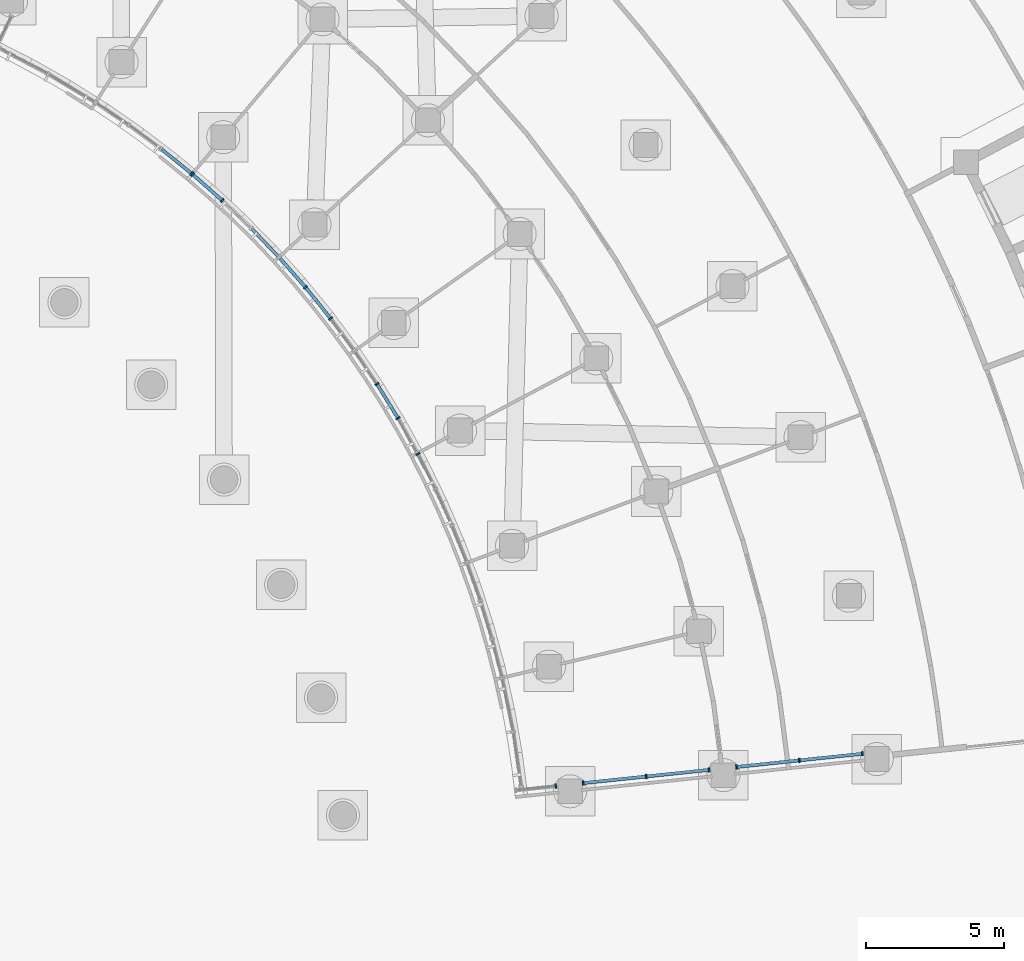
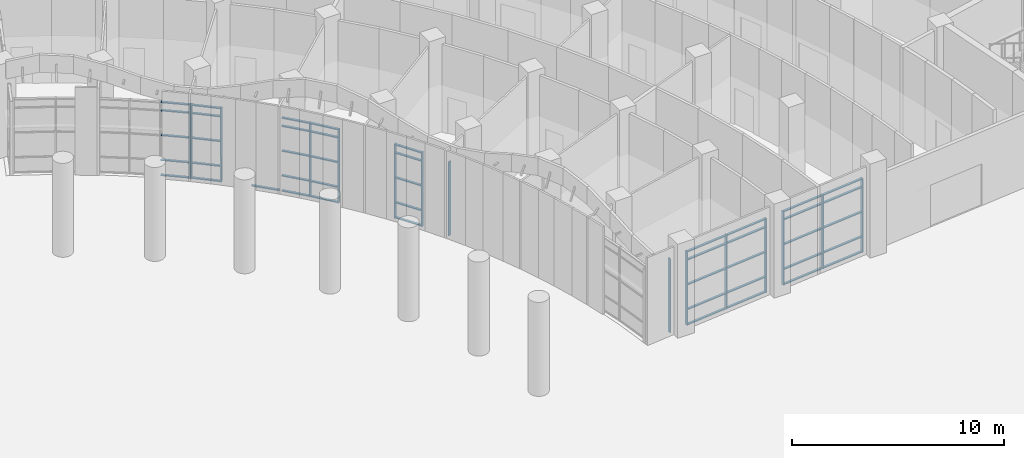
# One storey, part 31 of 146: 61 members, 8 elements without a shape of their own.
"""IFC4 building model written with IfcOpenShell, lengths in metres."""

from ifc_helpers import new_model, si_unit, direction, frame, origin, origin_2d, place, context, subcontext, project, spatial, rectangle, extrude, material, material_profile, profile_set, type_object, element, aggregate, save


model = new_model("IFC4")

# Units and contexts
model_context = context("Model", 3, precision=1e-05, world=origin(), true_north=direction((0.0, 1.0)))
body_context = subcontext(model_context, "Body", "Model", "MODEL_VIEW")
ifc_project = project(units=[si_unit("LENGTHUNIT", "METRE"), si_unit("AREAUNIT", "SQUARE_METRE"), si_unit("VOLUMEUNIT", "CUBIC_METRE"), si_unit("PLANEANGLEUNIT", "RADIAN"), si_unit("MASSUNIT", "GRAM", prefix="KILO")], contexts=[model_context])

# Site, building, storey
site_placement = place(None, origin())
site = spatial("IfcSite", under=ifc_project, at=site_placement, CompositionType="ELEMENT")
building_placement = place(site_placement, origin())
building = spatial("IfcBuilding", under=site, at=building_placement, Name="Bougainvillea Quay General Hospital", CompositionType="ELEMENT")
storey_placement = place(building_placement, origin())
storey = spatial("IfcBuildingStorey", under=building, at=storey_placement, Name="L00", CompositionType="ELEMENT", Elevation=0.0)

# Curtain wall, member
ifc_material_1 = material(Name="Aluminium curtain wall system, powder-coated glazed", Category="aluminium")
curtain_wall_type_1 = type_object("IfcCurtainWallType", Name="Unitised curtain wall CW-2100", PredefinedType="NOTDEFINED", material=ifc_material_1)
curtain_wall_1_placement = place(storey_placement, origin())
curtain_wall_1 = element("IfcCurtainWall", 1, at=curtain_wall_1_placement, inside=storey, type_object=curtain_wall_type_1, Name="CW-E02 a21b1", PredefinedType="NOTDEFINED")
ifc_material_2 = material(Name="Aluminium mullion, powder-coated charcoal", Category="aluminium")
ifc_material_profile_1 = material_profile(ifc_material_2, rectangle(XDim=0.159912109375, YDim=0.06005859375, at=origin_2d()))
ifc_profile_set_1 = profile_set([ifc_material_profile_1], Name="Aluminium mullion, powder-coated charcoal")
member_type_1 = type_object("IfcMemberType", Name="Curtain wall mullion 160x60", PredefinedType="MULLION", material=ifc_profile_set_1)
member_1_placement = place(storey_placement, frame((131.248779296875, 48.2080078125, 0.0), z_axis=(0.0, 0.0, 1.0), x_axis=(0.628035497086, 0.778184691702, 0.0)))
member_1 = element("IfcMember", 2, at=member_1_placement, type_object=member_type_1, Name="CW-E02 mullion 4", PredefinedType="MULLION", context=body_context, shape_type="SweptSolid", body=[
    extrude(rectangle(XDim=0.159912109375, YDim=0.06005859375, at=origin_2d()), origin(), (0.0, 0.0, 1.0), 4.25),
])

# Curtain wall, members
curtain_wall_2_placement = place(storey_placement, origin())
curtain_wall_2 = element("IfcCurtainWall", 3, at=curtain_wall_2_placement, inside=storey, type_object=curtain_wall_type_1, Name="CW-E03 a21b2", PredefinedType="NOTDEFINED")
member_2_placement = place(storey_placement, frame((131.294677734375, 48.16943359375, 0.0), z_axis=(0.0, 0.0, 1.0), x_axis=(0.660560931643, 0.750772439283, 0.0)))
member_2 = element("IfcMember", 4, at=member_2_placement, type_object=member_type_1, Name="CW-E03 mullion 1", PredefinedType="MULLION", context=body_context, shape_type="SweptSolid", body=[
    extrude(rectangle(XDim=0.159912109375, YDim=0.06005859375, at=origin_2d()), origin(), (0.0, 0.0, 1.0), 4.25),
])
member_3_placement = place(storey_placement, frame((132.365966796875, 47.226806640625, 0.0), z_axis=(0.0, 0.0, 1.0), x_axis=(0.676379052625, 0.736553716419, 0.0)))
member_3 = element("IfcMember", 5, at=member_3_placement, type_object=member_type_1, Name="CW-E03 mullion 2", PredefinedType="MULLION", context=body_context, shape_type="SweptSolid", body=[
    extrude(rectangle(XDim=0.159912109375, YDim=0.06005859375, at=origin_2d()), origin(), (0.0, 0.0, 1.0), 4.25),
])

curtain_wall_3_placement = place(storey_placement, origin())
curtain_wall_3 = element("IfcCurtainWall", 6, at=curtain_wall_3_placement, inside=storey, type_object=curtain_wall_type_1, Name="CW-E04 a21b3", PredefinedType="NOTDEFINED")
member_4_placement = place(storey_placement, frame((135.38818359375, 44.073486328125, 0.0), z_axis=(0.0, 0.0, 1.0), x_axis=(0.764621529328, 0.644479570575, 0.0)))
member_4 = element("IfcMember", 7, at=member_4_placement, type_object=member_type_1, Name="CW-E04 mullion 2", PredefinedType="MULLION", context=body_context, shape_type="SweptSolid", body=[
    extrude(rectangle(XDim=0.159912109375, YDim=0.06005859375, at=origin_2d()), origin(), (0.0, 0.0, 1.0), 4.25),
])
member_5_placement = place(storey_placement, frame((136.30322265625, 42.939697265625, 0.0), z_axis=(0.0, 0.0, 1.0), x_axis=(0.791337366302, 0.611379728723, 0.0)))
member_5 = element("IfcMember", 8, at=member_5_placement, type_object=member_type_1, Name="CW-E04 mullion 3", PredefinedType="MULLION", context=body_context, shape_type="SweptSolid", body=[
    extrude(rectangle(XDim=0.159912109375, YDim=0.06005859375, at=origin_2d()), origin(), (0.0, 0.0, 1.0), 4.25),
])

curtain_wall_4_placement = place(storey_placement, origin())
curtain_wall_4 = element("IfcCurtainWall", 9, at=curtain_wall_4_placement, inside=storey, type_object=curtain_wall_type_1, Name="CW-E05 a21b4", PredefinedType="NOTDEFINED")
member_6_placement = place(storey_placement, frame((137.984619140625, 40.560791015625, 0.0), z_axis=(0.0, 0.0, 1.0), x_axis=(0.840427908607, 0.541923362141, 0.0)))
member_6 = element("IfcMember", 10, at=member_6_placement, type_object=member_type_1, Name="CW-E05 mullion 2", PredefinedType="MULLION", context=body_context, shape_type="SweptSolid", body=[
    extrude(rectangle(XDim=0.159912109375, YDim=0.06005859375, at=origin_2d()), origin(), (0.0, 0.0, 1.0), 4.25),
])
member_7_placement = place(storey_placement, frame((138.747802734375, 39.31982421875, 0.0), z_axis=(0.0, 0.0, 1.0), x_axis=(0.862713792698, 0.50569250725, 0.0)))
member_7 = element("IfcMember", 11, at=member_7_placement, type_object=member_type_1, Name="CW-E05 mullion 3", PredefinedType="MULLION", context=body_context, shape_type="SweptSolid", body=[
    extrude(rectangle(XDim=0.159912109375, YDim=0.06005859375, at=origin_2d()), origin(), (0.0, 0.0, 1.0), 4.25),
])

# Curtain wall, member
curtain_wall_5_placement = place(storey_placement, origin())
curtain_wall_5 = element("IfcCurtainWall", 12, at=curtain_wall_5_placement, inside=storey, type_object=curtain_wall_type_1, Name="CW-E06 a21b5", PredefinedType="NOTDEFINED")
member_8_placement = place(storey_placement, frame((139.47119140625, 38.02099609375, 0.0), z_axis=(0.0, 0.0, 1.0), x_axis=(0.893204028362, 0.449651602597, 0.0)))
member_8 = element("IfcMember", 13, at=member_8_placement, type_object=member_type_1, Name="CW-E06 mullion 1", PredefinedType="MULLION", context=body_context, shape_type="SweptSolid", body=[
    extrude(rectangle(XDim=0.159912109375, YDim=0.06005859375, at=origin_2d()), origin(), (0.0, 0.0, 1.0), 4.25),
])
aggregate(curtain_wall_5, [member_8])

curtain_wall_type_2 = type_object("IfcCurtainWallType", Name="Unitised curtain wall CW-1531", PredefinedType="NOTDEFINED", material=ifc_material_1)
curtain_wall_6_placement = place(storey_placement, origin())
curtain_wall_6 = element("IfcCurtainWall", 14, at=curtain_wall_6_placement, inside=storey, type_object=curtain_wall_type_2, Name="CW-AE 00", PredefinedType="NOTDEFINED")
member_9_placement = place(storey_placement, frame((144.47998046875, 25.95947265625, 0.0), z_axis=(0.0, 0.0, 1.0), x_axis=(-0.104527173765, 0.9945220309, 0.0)))
member_9 = element("IfcMember", 15, at=member_9_placement, type_object=member_type_1, Name="CW-AE mullion 2", PredefinedType="MULLION", context=body_context, shape_type="SweptSolid", body=[
    extrude(rectangle(XDim=0.159912109375, YDim=0.06005859375, at=origin_2d()), origin(), (0.0, 0.0, 1.0), 4.25),
])
aggregate(curtain_wall_6, [member_9])

# Curtain wall, members
curtain_wall_type_3 = type_object("IfcCurtainWallType", Name="Unitised curtain wall CW-2330", PredefinedType="NOTDEFINED", material=ifc_material_1)
curtain_wall_7_placement = place(storey_placement, origin())
curtain_wall_7 = element("IfcCurtainWall", 16, at=curtain_wall_7_placement, inside=storey, type_object=curtain_wall_type_3, Name="CW-AE 01", PredefinedType="NOTDEFINED")
member_10_placement = place(storey_placement, frame((145.474365234375, 26.06396484375, 0.0), z_axis=(0.0, 0.0, 1.0), x_axis=(-0.104527173765, 0.9945220309, 0.0)))
member_10 = element("IfcMember", 17, at=member_10_placement, type_object=member_type_1, Name="CW-AE mullion 1", PredefinedType="MULLION", context=body_context, shape_type="SweptSolid", body=[
    extrude(rectangle(XDim=0.159912109375, YDim=0.06005859375, at=origin_2d()), origin(), (0.0, 0.0, 1.0), 4.25),
])
member_11_placement = place(storey_placement, frame((147.76171875, 26.304443359375, 0.0), z_axis=(0.0, 0.0, 1.0), x_axis=(-0.104527173765, 0.9945220309, 0.0)))
member_11 = element("IfcMember", 18, at=member_11_placement, type_object=member_type_1, Name="CW-AE mullion 2", PredefinedType="MULLION", context=body_context, shape_type="SweptSolid", body=[
    extrude(rectangle(XDim=0.159912109375, YDim=0.06005859375, at=origin_2d()), origin(), (0.0, 0.0, 1.0), 4.25),
])
member_12_placement = place(storey_placement, frame((150.048828125, 26.544677734375, 0.0), z_axis=(0.0, 0.0, 1.0), x_axis=(-0.104527173765, 0.9945220309, 0.0)))
member_12 = element("IfcMember", 19, at=member_12_placement, type_object=member_type_1, Name="CW-AE mullion 3", PredefinedType="MULLION", context=body_context, shape_type="SweptSolid", body=[
    extrude(rectangle(XDim=0.159912109375, YDim=0.06005859375, at=origin_2d()), origin(), (0.0, 0.0, 1.0), 4.25),
])

curtain_wall_8_placement = place(storey_placement, origin())
curtain_wall_8 = element("IfcCurtainWall", 20, at=curtain_wall_8_placement, inside=storey, type_object=curtain_wall_type_3, Name="CW-AE 02", PredefinedType="NOTDEFINED")
member_13_placement = place(storey_placement, frame((151.04345703125, 26.649169921875, 0.0), z_axis=(0.0, 0.0, 1.0), x_axis=(-0.104527173765, 0.9945220309, 0.0)))
member_13 = element("IfcMember", 21, at=member_13_placement, type_object=member_type_1, Name="CW-AE mullion 1", PredefinedType="MULLION", context=body_context, shape_type="SweptSolid", body=[
    extrude(rectangle(XDim=0.159912109375, YDim=0.06005859375, at=origin_2d()), origin(), (0.0, 0.0, 1.0), 4.25),
])
member_14_placement = place(storey_placement, frame((153.33056640625, 26.8896484375, 0.0), z_axis=(0.0, 0.0, 1.0), x_axis=(-0.104527173765, 0.9945220309, 0.0)))
member_14 = element("IfcMember", 22, at=member_14_placement, type_object=member_type_1, Name="CW-AE mullion 2", PredefinedType="MULLION", context=body_context, shape_type="SweptSolid", body=[
    extrude(rectangle(XDim=0.159912109375, YDim=0.06005859375, at=origin_2d()), origin(), (0.0, 0.0, 1.0), 4.25),
])
member_15_placement = place(storey_placement, frame((155.617919921875, 27.130126953125, 0.0), z_axis=(0.0, 0.0, 1.0), x_axis=(-0.104527173765, 0.9945220309, 0.0)))
member_15 = element("IfcMember", 23, at=member_15_placement, type_object=member_type_1, Name="CW-AE mullion 3", PredefinedType="MULLION", context=body_context, shape_type="SweptSolid", body=[
    extrude(rectangle(XDim=0.159912109375, YDim=0.06005859375, at=origin_2d()), origin(), (0.0, 0.0, 1.0), 4.25),
])

# Member
ifc_material_3 = material(Name="Aluminium transom, powder-coated charcoal", Category="aluminium")
ifc_material_profile_2 = material_profile(ifc_material_3, rectangle(XDim=0.1201171875, YDim=0.06005859375, at=origin_2d()))
ifc_profile_set_2 = profile_set([ifc_material_profile_2], Name="Aluminium transom, powder-coated charcoal")
member_type_2 = type_object("IfcMemberType", Name="Curtain wall transom 120x60", PredefinedType="USERDEFINED", material=ifc_profile_set_2)
member_16_placement = place(storey_placement, frame((130.161865234375, 49.08544921875, 0.030029296875), z_axis=(0.778213103067, -0.628000291573, 0.0), x_axis=(0.628000291573, 0.778213103067, 0.0)))
member_16 = element("IfcMember", 24, at=member_16_placement, type_object=member_type_2, Name="CW-E02 transom 3.1", ObjectType="TRANSOM", PredefinedType="USERDEFINED", context=body_context, shape_type="SweptSolid", body=[
    extrude(rectangle(XDim=0.1201171875, YDim=0.06005859375, at=origin_2d()), origin(), (0.0, 0.0, 1.0), 1.366943359375),
])

member_17_placement = place(storey_placement, frame((130.161865234375, 49.08544921875, 0.89990234375), z_axis=(0.778213103067, -0.628000291573, 0.0), x_axis=(0.628000291573, 0.778213103067, 0.0)))
member_17 = element("IfcMember", 25, at=member_17_placement, type_object=member_type_2, Name="CW-E02 transom 3.2", ObjectType="TRANSOM", PredefinedType="USERDEFINED", context=body_context, shape_type="SweptSolid", body=[
    extrude(rectangle(XDim=0.1201171875, YDim=0.06005859375, at=origin_2d()), origin(), (0.0, 0.0, 1.0), 1.366943359375),
])

member_18_placement = place(storey_placement, frame((130.161865234375, 49.08544921875, 2.324951171875), z_axis=(0.778213103067, -0.628000291573, 0.0), x_axis=(0.628000291573, 0.778213103067, 0.0)))
member_18 = element("IfcMember", 26, at=member_18_placement, type_object=member_type_2, Name="CW-E02 transom 3.3", ObjectType="TRANSOM", PredefinedType="USERDEFINED", context=body_context, shape_type="SweptSolid", body=[
    extrude(rectangle(XDim=0.1201171875, YDim=0.06005859375, at=origin_2d()), origin(), (0.0, 0.0, 1.0), 1.366943359375),
])

member_19_placement = place(storey_placement, frame((130.161865234375, 49.08544921875, 3.75), z_axis=(0.778213103067, -0.628000291573, 0.0), x_axis=(0.628000291573, 0.778213103067, 0.0)))
member_19 = element("IfcMember", 27, at=member_19_placement, type_object=member_type_2, Name="CW-E02 transom 3.4", ObjectType="TRANSOM", PredefinedType="USERDEFINED", context=body_context, shape_type="SweptSolid", body=[
    extrude(rectangle(XDim=0.1201171875, YDim=0.06005859375, at=origin_2d()), origin(), (0.0, 0.0, 1.0), 1.366943359375),
])

member_20_placement = place(storey_placement, frame((130.161865234375, 49.08544921875, 4.219970703125), z_axis=(0.778213103067, -0.628000291573, 0.0), x_axis=(0.628000291573, 0.778213103067, 0.0)))
member_20 = element("IfcMember", 28, at=member_20_placement, type_object=member_type_2, Name="CW-E02 transom 3.5", ObjectType="TRANSOM", PredefinedType="USERDEFINED", context=body_context, shape_type="SweptSolid", body=[
    extrude(rectangle(XDim=0.1201171875, YDim=0.06005859375, at=origin_2d()), origin(), (0.0, 0.0, 1.0), 1.366943359375),
])

aggregate(curtain_wall_1, [member_1, member_16, member_17, member_18, member_19, member_20])

member_21_placement = place(storey_placement, frame((131.317138671875, 48.149658203125, 0.030029296875), z_axis=(0.750848138241, -0.660474884685, 0.0), x_axis=(0.660474884685, 0.750848138241, 0.0)))
member_21 = element("IfcMember", 29, at=member_21_placement, type_object=member_type_2, Name="CW-E03 transom 1.1", ObjectType="TRANSOM", PredefinedType="USERDEFINED", context=body_context, shape_type="SweptSolid", body=[
    extrude(rectangle(XDim=0.1201171875, YDim=0.06005859375, at=origin_2d()), origin(), (0.0, 0.0, 1.0), 1.366943359375),
])

member_22_placement = place(storey_placement, frame((131.317138671875, 48.149658203125, 0.89990234375), z_axis=(0.750848138241, -0.660474884685, 0.0), x_axis=(0.660474884685, 0.750848138241, 0.0)))
member_22 = element("IfcMember", 30, at=member_22_placement, type_object=member_type_2, Name="CW-E03 transom 1.2", ObjectType="TRANSOM", PredefinedType="USERDEFINED", context=body_context, shape_type="SweptSolid", body=[
    extrude(rectangle(XDim=0.1201171875, YDim=0.06005859375, at=origin_2d()), origin(), (0.0, 0.0, 1.0), 1.366943359375),
])

member_23_placement = place(storey_placement, frame((131.317138671875, 48.149658203125, 2.324951171875), z_axis=(0.750848138241, -0.660474884685, 0.0), x_axis=(0.660474884685, 0.750848138241, 0.0)))
member_23 = element("IfcMember", 31, at=member_23_placement, type_object=member_type_2, Name="CW-E03 transom 1.3", ObjectType="TRANSOM", PredefinedType="USERDEFINED", context=body_context, shape_type="SweptSolid", body=[
    extrude(rectangle(XDim=0.1201171875, YDim=0.06005859375, at=origin_2d()), origin(), (0.0, 0.0, 1.0), 1.366943359375),
])

member_24_placement = place(storey_placement, frame((131.317138671875, 48.149658203125, 3.75), z_axis=(0.750848138241, -0.660474884685, 0.0), x_axis=(0.660474884685, 0.750848138241, 0.0)))
member_24 = element("IfcMember", 32, at=member_24_placement, type_object=member_type_2, Name="CW-E03 transom 1.4", ObjectType="TRANSOM", PredefinedType="USERDEFINED", context=body_context, shape_type="SweptSolid", body=[
    extrude(rectangle(XDim=0.1201171875, YDim=0.06005859375, at=origin_2d()), origin(), (0.0, 0.0, 1.0), 1.366943359375),
])

member_25_placement = place(storey_placement, frame((131.317138671875, 48.149658203125, 4.219970703125), z_axis=(0.750848138241, -0.660474884685, 0.0), x_axis=(0.660474884685, 0.750848138241, 0.0)))
member_25 = element("IfcMember", 33, at=member_25_placement, type_object=member_type_2, Name="CW-E03 transom 1.5", ObjectType="TRANSOM", PredefinedType="USERDEFINED", context=body_context, shape_type="SweptSolid", body=[
    extrude(rectangle(XDim=0.1201171875, YDim=0.06005859375, at=origin_2d()), origin(), (0.0, 0.0, 1.0), 1.366943359375),
])

member_26_placement = place(storey_placement, frame((133.4384765625, 46.197265625, 0.030029296875), z_axis=(0.691944155864, -0.721951026847, 0.0), x_axis=(0.721951026847, 0.691944155864, 0.0)))
member_26 = element("IfcMember", 34, at=member_26_placement, type_object=member_type_2, Name="CW-E03 transom 3.1", ObjectType="TRANSOM", PredefinedType="USERDEFINED", context=body_context, shape_type="SweptSolid", body=[
    extrude(rectangle(XDim=0.1201171875, YDim=0.06005859375, at=origin_2d()), origin(), (0.0, 0.0, 1.0), 1.366943359375),
])

aggregate(curtain_wall_2, [member_2, member_3, member_21, member_22, member_23, member_24, member_25, member_26])

member_27_placement = place(storey_placement, frame((134.465576171875, 45.1220703125, 0.030029296875), z_axis=(0.660563464246, -0.750770210986, 0.0), x_axis=(0.750770210986, 0.660563464246, 0.0)))
member_27 = element("IfcMember", 35, at=member_27_placement, type_object=member_type_2, Name="CW-E04 transom 1.1", ObjectType="TRANSOM", PredefinedType="USERDEFINED", context=body_context, shape_type="SweptSolid", body=[
    extrude(rectangle(XDim=0.1201171875, YDim=0.06005859375, at=origin_2d()), origin(), (0.0, 0.0, 1.0), 1.36669921875),
])

member_28_placement = place(storey_placement, frame((134.465576171875, 45.1220703125, 0.89990234375), z_axis=(0.660563464246, -0.750770210986, 0.0), x_axis=(0.750770210986, 0.660563464246, 0.0)))
member_28 = element("IfcMember", 36, at=member_28_placement, type_object=member_type_2, Name="CW-E04 transom 1.2", ObjectType="TRANSOM", PredefinedType="USERDEFINED", context=body_context, shape_type="SweptSolid", body=[
    extrude(rectangle(XDim=0.1201171875, YDim=0.06005859375, at=origin_2d()), origin(), (0.0, 0.0, 1.0), 1.36669921875),
])

member_29_placement = place(storey_placement, frame((134.465576171875, 45.1220703125, 2.324951171875), z_axis=(0.660563464246, -0.750770210986, 0.0), x_axis=(0.750770210986, 0.660563464246, 0.0)))
member_29 = element("IfcMember", 37, at=member_29_placement, type_object=member_type_2, Name="CW-E04 transom 1.3", ObjectType="TRANSOM", PredefinedType="USERDEFINED", context=body_context, shape_type="SweptSolid", body=[
    extrude(rectangle(XDim=0.1201171875, YDim=0.06005859375, at=origin_2d()), origin(), (0.0, 0.0, 1.0), 1.36669921875),
])

member_30_placement = place(storey_placement, frame((134.465576171875, 45.1220703125, 3.75), z_axis=(0.660563464246, -0.750770210986, 0.0), x_axis=(0.750770210986, 0.660563464246, 0.0)))
member_30 = element("IfcMember", 38, at=member_30_placement, type_object=member_type_2, Name="CW-E04 transom 1.4", ObjectType="TRANSOM", PredefinedType="USERDEFINED", context=body_context, shape_type="SweptSolid", body=[
    extrude(rectangle(XDim=0.1201171875, YDim=0.06005859375, at=origin_2d()), origin(), (0.0, 0.0, 1.0), 1.36669921875),
])

member_31_placement = place(storey_placement, frame((134.465576171875, 45.1220703125, 4.219970703125), z_axis=(0.660563464246, -0.750770210986, 0.0), x_axis=(0.750770210986, 0.660563464246, 0.0)))
member_31 = element("IfcMember", 39, at=member_31_placement, type_object=member_type_2, Name="CW-E04 transom 1.5", ObjectType="TRANSOM", PredefinedType="USERDEFINED", context=body_context, shape_type="SweptSolid", body=[
    extrude(rectangle(XDim=0.1201171875, YDim=0.06005859375, at=origin_2d()), origin(), (0.0, 0.0, 1.0), 1.36669921875),
])

member_32_placement = place(storey_placement, frame((135.406982421875, 44.050048828125, 0.030029296875), z_axis=(0.628141814812, -0.778098875777, 0.0), x_axis=(0.778098875777, 0.628141814812, 0.0)))
member_32 = element("IfcMember", 40, at=member_32_placement, type_object=member_type_2, Name="CW-E04 transom 2.1", ObjectType="TRANSOM", PredefinedType="USERDEFINED", context=body_context, shape_type="SweptSolid", body=[
    extrude(rectangle(XDim=0.1201171875, YDim=0.06005859375, at=origin_2d()), origin(), (0.0, 0.0, 1.0), 1.39697265625),
])

member_33_placement = place(storey_placement, frame((135.406982421875, 44.050048828125, 0.89990234375), z_axis=(0.628141814812, -0.778098875777, 0.0), x_axis=(0.778098875777, 0.628141814812, 0.0)))
member_33 = element("IfcMember", 41, at=member_33_placement, type_object=member_type_2, Name="CW-E04 transom 2.2", ObjectType="TRANSOM", PredefinedType="USERDEFINED", context=body_context, shape_type="SweptSolid", body=[
    extrude(rectangle(XDim=0.1201171875, YDim=0.06005859375, at=origin_2d()), origin(), (0.0, 0.0, 1.0), 1.39697265625),
])

member_34_placement = place(storey_placement, frame((135.406982421875, 44.050048828125, 2.324951171875), z_axis=(0.628141814812, -0.778098875777, 0.0), x_axis=(0.778098875777, 0.628141814812, 0.0)))
member_34 = element("IfcMember", 42, at=member_34_placement, type_object=member_type_2, Name="CW-E04 transom 2.3", ObjectType="TRANSOM", PredefinedType="USERDEFINED", context=body_context, shape_type="SweptSolid", body=[
    extrude(rectangle(XDim=0.1201171875, YDim=0.06005859375, at=origin_2d()), origin(), (0.0, 0.0, 1.0), 1.39697265625),
])

member_35_placement = place(storey_placement, frame((135.406982421875, 44.050048828125, 3.75), z_axis=(0.628141814812, -0.778098875777, 0.0), x_axis=(0.778098875777, 0.628141814812, 0.0)))
member_35 = element("IfcMember", 43, at=member_35_placement, type_object=member_type_2, Name="CW-E04 transom 2.4", ObjectType="TRANSOM", PredefinedType="USERDEFINED", context=body_context, shape_type="SweptSolid", body=[
    extrude(rectangle(XDim=0.1201171875, YDim=0.06005859375, at=origin_2d()), origin(), (0.0, 0.0, 1.0), 1.39697265625),
])

member_36_placement = place(storey_placement, frame((135.406982421875, 44.050048828125, 4.219970703125), z_axis=(0.628141814812, -0.778098875777, 0.0), x_axis=(0.778098875777, 0.628141814812, 0.0)))
member_36 = element("IfcMember", 44, at=member_36_placement, type_object=member_type_2, Name="CW-E04 transom 2.5", ObjectType="TRANSOM", PredefinedType="USERDEFINED", context=body_context, shape_type="SweptSolid", body=[
    extrude(rectangle(XDim=0.1201171875, YDim=0.06005859375, at=origin_2d()), origin(), (0.0, 0.0, 1.0), 1.39697265625),
])

aggregate(curtain_wall_3, [member_4, member_5, member_27, member_28, member_29, member_30, member_31, member_32, member_33, member_34, member_35, member_36])

member_37_placement = place(storey_placement, frame((138.000244140625, 40.535400390625, 0.030029296875), z_axis=(0.523921907365, -0.851766303034, 0.0), x_axis=(0.851766303034, 0.523921907365, 0.0)))
member_37 = element("IfcMember", 45, at=member_37_placement, type_object=member_type_2, Name="CW-E05 transom 2.1", ObjectType="TRANSOM", PredefinedType="USERDEFINED", context=body_context, shape_type="SweptSolid", body=[
    extrude(rectangle(XDim=0.1201171875, YDim=0.06005859375, at=origin_2d()), origin(), (0.0, 0.0, 1.0), 1.39697265625),
])

member_38_placement = place(storey_placement, frame((138.000244140625, 40.535400390625, 0.89990234375), z_axis=(0.523921907365, -0.851766303034, 0.0), x_axis=(0.851766303034, 0.523921907365, 0.0)))
member_38 = element("IfcMember", 46, at=member_38_placement, type_object=member_type_2, Name="CW-E05 transom 2.2", ObjectType="TRANSOM", PredefinedType="USERDEFINED", context=body_context, shape_type="SweptSolid", body=[
    extrude(rectangle(XDim=0.1201171875, YDim=0.06005859375, at=origin_2d()), origin(), (0.0, 0.0, 1.0), 1.39697265625),
])

member_39_placement = place(storey_placement, frame((138.000244140625, 40.535400390625, 2.324951171875), z_axis=(0.523921907365, -0.851766303034, 0.0), x_axis=(0.851766303034, 0.523921907365, 0.0)))
member_39 = element("IfcMember", 47, at=member_39_placement, type_object=member_type_2, Name="CW-E05 transom 2.3", ObjectType="TRANSOM", PredefinedType="USERDEFINED", context=body_context, shape_type="SweptSolid", body=[
    extrude(rectangle(XDim=0.1201171875, YDim=0.06005859375, at=origin_2d()), origin(), (0.0, 0.0, 1.0), 1.39697265625),
])

member_40_placement = place(storey_placement, frame((138.000244140625, 40.535400390625, 3.75), z_axis=(0.523921907365, -0.851766303034, 0.0), x_axis=(0.851766303034, 0.523921907365, 0.0)))
member_40 = element("IfcMember", 48, at=member_40_placement, type_object=member_type_2, Name="CW-E05 transom 2.4", ObjectType="TRANSOM", PredefinedType="USERDEFINED", context=body_context, shape_type="SweptSolid", body=[
    extrude(rectangle(XDim=0.1201171875, YDim=0.06005859375, at=origin_2d()), origin(), (0.0, 0.0, 1.0), 1.39697265625),
])

member_41_placement = place(storey_placement, frame((138.000244140625, 40.535400390625, 4.219970703125), z_axis=(0.523921907365, -0.851766303034, 0.0), x_axis=(0.851766303034, 0.523921907365, 0.0)))
member_41 = element("IfcMember", 49, at=member_41_placement, type_object=member_type_2, Name="CW-E05 transom 2.5", ObjectType="TRANSOM", PredefinedType="USERDEFINED", context=body_context, shape_type="SweptSolid", body=[
    extrude(rectangle(XDim=0.1201171875, YDim=0.06005859375, at=origin_2d()), origin(), (0.0, 0.0, 1.0), 1.39697265625),
])

aggregate(curtain_wall_4, [member_6, member_7, member_37, member_38, member_39, member_40, member_41])

member_42_placement = place(storey_placement, frame((145.504150390625, 26.067138671875, 0.030029296875), z_axis=(0.994522758079, 0.104520254794, 0.0), x_axis=(-0.104520254794, 0.994522758079, 0.0)))
member_42 = element("IfcMember", 50, at=member_42_placement, type_object=member_type_2, Name="CW-AE transom 1.1", ObjectType="TRANSOM", PredefinedType="USERDEFINED", context=body_context, shape_type="SweptSolid", body=[
    extrude(rectangle(XDim=0.1201171875, YDim=0.06005859375, at=origin_2d()), origin(), (0.0, 0.0, 1.0), 2.239990234375),
])

member_43_placement = place(storey_placement, frame((145.504150390625, 26.067138671875, 0.89990234375), z_axis=(0.994522758079, 0.104520254794, 0.0), x_axis=(-0.104520254794, 0.994522758079, 0.0)))
member_43 = element("IfcMember", 51, at=member_43_placement, type_object=member_type_2, Name="CW-AE transom 1.2", ObjectType="TRANSOM", PredefinedType="USERDEFINED", context=body_context, shape_type="SweptSolid", body=[
    extrude(rectangle(XDim=0.1201171875, YDim=0.06005859375, at=origin_2d()), origin(), (0.0, 0.0, 1.0), 2.239990234375),
])

member_44_placement = place(storey_placement, frame((145.504150390625, 26.067138671875, 2.324951171875), z_axis=(0.994522758079, 0.104520254794, 0.0), x_axis=(-0.104520254794, 0.994522758079, 0.0)))
member_44 = element("IfcMember", 52, at=member_44_placement, type_object=member_type_2, Name="CW-AE transom 1.3", ObjectType="TRANSOM", PredefinedType="USERDEFINED", context=body_context, shape_type="SweptSolid", body=[
    extrude(rectangle(XDim=0.1201171875, YDim=0.06005859375, at=origin_2d()), origin(), (0.0, 0.0, 1.0), 2.239990234375),
])

member_45_placement = place(storey_placement, frame((145.504150390625, 26.067138671875, 3.75), z_axis=(0.994522758079, 0.104520254794, 0.0), x_axis=(-0.104520254794, 0.994522758079, 0.0)))
member_45 = element("IfcMember", 53, at=member_45_placement, type_object=member_type_2, Name="CW-AE transom 1.4", ObjectType="TRANSOM", PredefinedType="USERDEFINED", context=body_context, shape_type="SweptSolid", body=[
    extrude(rectangle(XDim=0.1201171875, YDim=0.06005859375, at=origin_2d()), origin(), (0.0, 0.0, 1.0), 2.239990234375),
])

member_46_placement = place(storey_placement, frame((145.504150390625, 26.067138671875, 4.219970703125), z_axis=(0.994522758079, 0.104520254794, 0.0), x_axis=(-0.104520254794, 0.994522758079, 0.0)))
member_46 = element("IfcMember", 54, at=member_46_placement, type_object=member_type_2, Name="CW-AE transom 1.5", ObjectType="TRANSOM", PredefinedType="USERDEFINED", context=body_context, shape_type="SweptSolid", body=[
    extrude(rectangle(XDim=0.1201171875, YDim=0.06005859375, at=origin_2d()), origin(), (0.0, 0.0, 1.0), 2.239990234375),
])

member_47_placement = place(storey_placement, frame((147.79150390625, 26.3076171875, 0.030029296875), z_axis=(0.994521567239, 0.104531585158, 0.0), x_axis=(-0.104531585158, 0.994521567239, 0.0)))
member_47 = element("IfcMember", 55, at=member_47_placement, type_object=member_type_2, Name="CW-AE transom 2.1", ObjectType="TRANSOM", PredefinedType="USERDEFINED", context=body_context, shape_type="SweptSolid", body=[
    extrude(rectangle(XDim=0.1201171875, YDim=0.06005859375, at=origin_2d()), origin(), (0.0, 0.0, 1.0), 2.23974609375),
])

member_48_placement = place(storey_placement, frame((147.79150390625, 26.3076171875, 0.89990234375), z_axis=(0.994521567239, 0.104531585158, 0.0), x_axis=(-0.104531585158, 0.994521567239, 0.0)))
member_48 = element("IfcMember", 56, at=member_48_placement, type_object=member_type_2, Name="CW-AE transom 2.2", ObjectType="TRANSOM", PredefinedType="USERDEFINED", context=body_context, shape_type="SweptSolid", body=[
    extrude(rectangle(XDim=0.1201171875, YDim=0.06005859375, at=origin_2d()), origin(), (0.0, 0.0, 1.0), 2.23974609375),
])

member_49_placement = place(storey_placement, frame((147.79150390625, 26.3076171875, 2.324951171875), z_axis=(0.994521567239, 0.104531585158, 0.0), x_axis=(-0.104531585158, 0.994521567239, 0.0)))
member_49 = element("IfcMember", 57, at=member_49_placement, type_object=member_type_2, Name="CW-AE transom 2.3", ObjectType="TRANSOM", PredefinedType="USERDEFINED", context=body_context, shape_type="SweptSolid", body=[
    extrude(rectangle(XDim=0.1201171875, YDim=0.06005859375, at=origin_2d()), origin(), (0.0, 0.0, 1.0), 2.23974609375),
])

member_50_placement = place(storey_placement, frame((147.79150390625, 26.3076171875, 3.75), z_axis=(0.994521567239, 0.104531585158, 0.0), x_axis=(-0.104531585158, 0.994521567239, 0.0)))
member_50 = element("IfcMember", 58, at=member_50_placement, type_object=member_type_2, Name="CW-AE transom 2.4", ObjectType="TRANSOM", PredefinedType="USERDEFINED", context=body_context, shape_type="SweptSolid", body=[
    extrude(rectangle(XDim=0.1201171875, YDim=0.06005859375, at=origin_2d()), origin(), (0.0, 0.0, 1.0), 2.23974609375),
])

member_51_placement = place(storey_placement, frame((147.79150390625, 26.3076171875, 4.219970703125), z_axis=(0.994521567239, 0.104531585158, 0.0), x_axis=(-0.104531585158, 0.994521567239, 0.0)))
member_51 = element("IfcMember", 59, at=member_51_placement, type_object=member_type_2, Name="CW-AE transom 2.5", ObjectType="TRANSOM", PredefinedType="USERDEFINED", context=body_context, shape_type="SweptSolid", body=[
    extrude(rectangle(XDim=0.1201171875, YDim=0.06005859375, at=origin_2d()), origin(), (0.0, 0.0, 1.0), 2.23974609375),
])

aggregate(curtain_wall_7, [member_10, member_11, member_12, member_42, member_43, member_44, member_45, member_46, member_47, member_48, member_49, member_50, member_51])

member_52_placement = place(storey_placement, frame((151.0732421875, 26.65234375, 0.030029296875), z_axis=(0.994521567239, 0.104531585158, 0.0), x_axis=(-0.104531585158, 0.994521567239, 0.0)))
member_52 = element("IfcMember", 60, at=member_52_placement, type_object=member_type_2, Name="CW-AE transom 1.1", ObjectType="TRANSOM", PredefinedType="USERDEFINED", context=body_context, shape_type="SweptSolid", body=[
    extrude(rectangle(XDim=0.1201171875, YDim=0.06005859375, at=origin_2d()), origin(), (0.0, 0.0, 1.0), 2.23974609375),
])

member_53_placement = place(storey_placement, frame((151.0732421875, 26.65234375, 0.89990234375), z_axis=(0.994521567239, 0.104531585158, 0.0), x_axis=(-0.104531585158, 0.994521567239, 0.0)))
member_53 = element("IfcMember", 61, at=member_53_placement, type_object=member_type_2, Name="CW-AE transom 1.2", ObjectType="TRANSOM", PredefinedType="USERDEFINED", context=body_context, shape_type="SweptSolid", body=[
    extrude(rectangle(XDim=0.1201171875, YDim=0.06005859375, at=origin_2d()), origin(), (0.0, 0.0, 1.0), 2.23974609375),
])

member_54_placement = place(storey_placement, frame((151.0732421875, 26.65234375, 2.324951171875), z_axis=(0.994521567239, 0.104531585158, 0.0), x_axis=(-0.104531585158, 0.994521567239, 0.0)))
member_54 = element("IfcMember", 62, at=member_54_placement, type_object=member_type_2, Name="CW-AE transom 1.3", ObjectType="TRANSOM", PredefinedType="USERDEFINED", context=body_context, shape_type="SweptSolid", body=[
    extrude(rectangle(XDim=0.1201171875, YDim=0.06005859375, at=origin_2d()), origin(), (0.0, 0.0, 1.0), 2.23974609375),
])

member_55_placement = place(storey_placement, frame((151.0732421875, 26.65234375, 3.75), z_axis=(0.994521567239, 0.104531585158, 0.0), x_axis=(-0.104531585158, 0.994521567239, 0.0)))
member_55 = element("IfcMember", 63, at=member_55_placement, type_object=member_type_2, Name="CW-AE transom 1.4", ObjectType="TRANSOM", PredefinedType="USERDEFINED", context=body_context, shape_type="SweptSolid", body=[
    extrude(rectangle(XDim=0.1201171875, YDim=0.06005859375, at=origin_2d()), origin(), (0.0, 0.0, 1.0), 2.23974609375),
])

member_56_placement = place(storey_placement, frame((151.0732421875, 26.65234375, 4.219970703125), z_axis=(0.994521567239, 0.104531585158, 0.0), x_axis=(-0.104531585158, 0.994521567239, 0.0)))
member_56 = element("IfcMember", 64, at=member_56_placement, type_object=member_type_2, Name="CW-AE transom 1.5", ObjectType="TRANSOM", PredefinedType="USERDEFINED", context=body_context, shape_type="SweptSolid", body=[
    extrude(rectangle(XDim=0.1201171875, YDim=0.06005859375, at=origin_2d()), origin(), (0.0, 0.0, 1.0), 2.23974609375),
])

member_57_placement = place(storey_placement, frame((153.360595703125, 26.892822265625, 0.030029296875), z_axis=(0.994521567239, 0.104531585158, 0.0), x_axis=(-0.104531585158, 0.994521567239, 0.0)))
member_57 = element("IfcMember", 65, at=member_57_placement, type_object=member_type_2, Name="CW-AE transom 2.1", ObjectType="TRANSOM", PredefinedType="USERDEFINED", context=body_context, shape_type="SweptSolid", body=[
    extrude(rectangle(XDim=0.1201171875, YDim=0.06005859375, at=origin_2d()), origin(), (0.0, 0.0, 1.0), 2.23974609375),
])

member_58_placement = place(storey_placement, frame((153.360595703125, 26.892822265625, 0.89990234375), z_axis=(0.994521567239, 0.104531585158, 0.0), x_axis=(-0.104531585158, 0.994521567239, 0.0)))
member_58 = element("IfcMember", 66, at=member_58_placement, type_object=member_type_2, Name="CW-AE transom 2.2", ObjectType="TRANSOM", PredefinedType="USERDEFINED", context=body_context, shape_type="SweptSolid", body=[
    extrude(rectangle(XDim=0.1201171875, YDim=0.06005859375, at=origin_2d()), origin(), (0.0, 0.0, 1.0), 2.23974609375),
])

member_59_placement = place(storey_placement, frame((153.360595703125, 26.892822265625, 2.324951171875), z_axis=(0.994521567239, 0.104531585158, 0.0), x_axis=(-0.104531585158, 0.994521567239, 0.0)))
member_59 = element("IfcMember", 67, at=member_59_placement, type_object=member_type_2, Name="CW-AE transom 2.3", ObjectType="TRANSOM", PredefinedType="USERDEFINED", context=body_context, shape_type="SweptSolid", body=[
    extrude(rectangle(XDim=0.1201171875, YDim=0.06005859375, at=origin_2d()), origin(), (0.0, 0.0, 1.0), 2.23974609375),
])

member_60_placement = place(storey_placement, frame((153.360595703125, 26.892822265625, 3.75), z_axis=(0.994521567239, 0.104531585158, 0.0), x_axis=(-0.104531585158, 0.994521567239, 0.0)))
member_60 = element("IfcMember", 68, at=member_60_placement, type_object=member_type_2, Name="CW-AE transom 2.4", ObjectType="TRANSOM", PredefinedType="USERDEFINED", context=body_context, shape_type="SweptSolid", body=[
    extrude(rectangle(XDim=0.1201171875, YDim=0.06005859375, at=origin_2d()), origin(), (0.0, 0.0, 1.0), 2.23974609375),
])

member_61_placement = place(storey_placement, frame((153.360595703125, 26.892822265625, 4.219970703125), z_axis=(0.994521567239, 0.104531585158, 0.0), x_axis=(-0.104531585158, 0.994521567239, 0.0)))
member_61 = element("IfcMember", 69, at=member_61_placement, type_object=member_type_2, Name="CW-AE transom 2.5", ObjectType="TRANSOM", PredefinedType="USERDEFINED", context=body_context, shape_type="SweptSolid", body=[
    extrude(rectangle(XDim=0.1201171875, YDim=0.06005859375, at=origin_2d()), origin(), (0.0, 0.0, 1.0), 2.23974609375),
])

aggregate(curtain_wall_8, [member_13, member_14, member_15, member_52, member_53, member_54, member_55, member_56, member_57, member_58, member_59, member_60, member_61])

save(model, "model.ifc")
